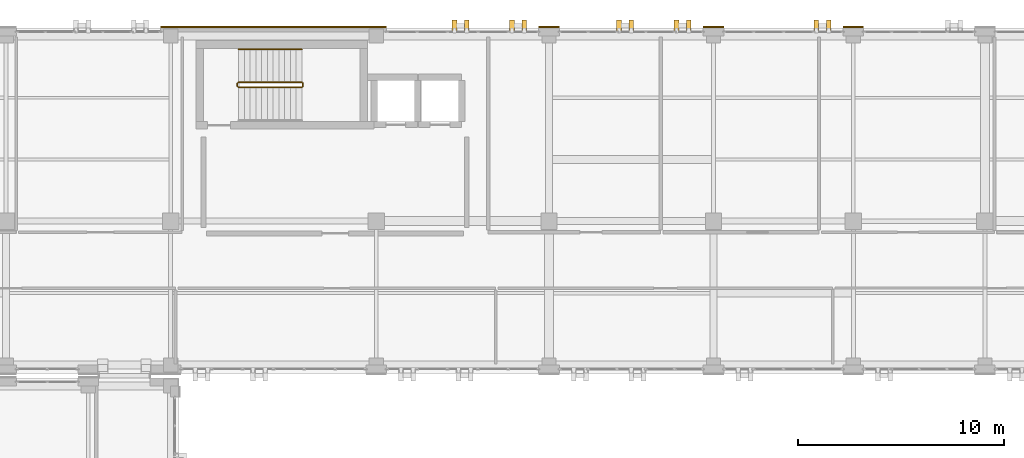
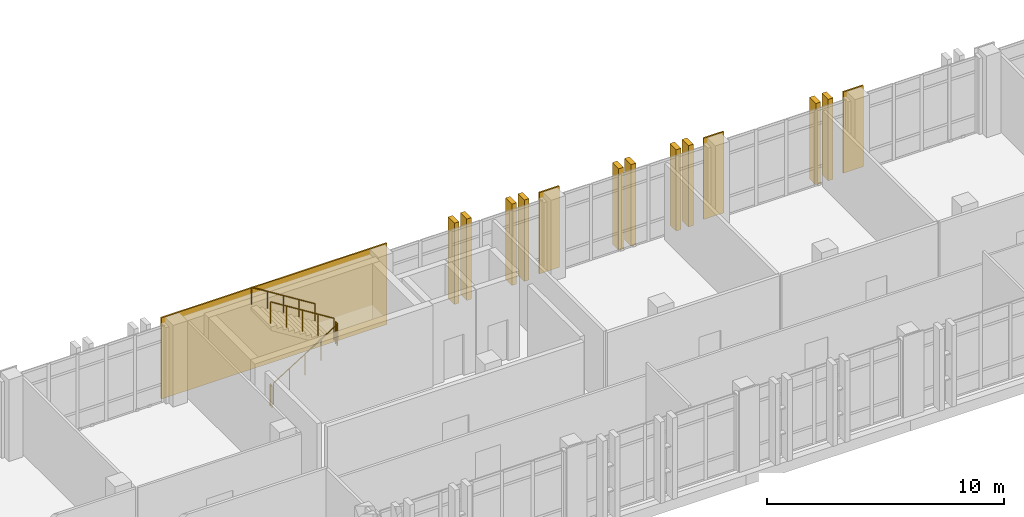
# One storey, part 151 of 158: 14 coverings, 5 railings.
"""IFC4 building model written with IfcOpenShell, lengths in metres."""

from ifc_helpers import new_model, si_unit, direction, frame, origin, origin_2d, place, context, subcontext, project, spatial, rectangle, circle, extrude, material, layer, layer_set, type_object, element, save


model = new_model("IFC4")

# Units and contexts
model_context = context("Model", 3, precision=1e-05, world=origin(), true_north=direction((0.0, 1.0)))
body_context = subcontext(model_context, "Body", "Model", "MODEL_VIEW")
ifc_project = project(units=[si_unit("LENGTHUNIT", "METRE"), si_unit("AREAUNIT", "SQUARE_METRE"), si_unit("VOLUMEUNIT", "CUBIC_METRE"), si_unit("PLANEANGLEUNIT", "RADIAN"), si_unit("MASSUNIT", "GRAM", prefix="KILO")], contexts=[model_context])

# Site, building, storey
site_placement = place(None, origin())
site = spatial("IfcSite", under=ifc_project, at=site_placement, CompositionType="ELEMENT")
building_placement = place(site_placement, origin())
building = spatial("IfcBuilding", under=site, at=building_placement, Name="Qalavern Law Courts", CompositionType="ELEMENT")
storey_placement = place(building_placement, frame((0.0, 0.0, 18.60009765625)))
storey = spatial("IfcBuildingStorey", under=building, at=storey_placement, Name="L04", CompositionType="ELEMENT", Elevation=18.60009765625)

# Coverings
ifc_material_1 = material(Name="Precast concrete C40/50", Category="concrete")
ifc_layer_1 = layer(ifc_material_1, 0.22998046875)
ifc_layer_set_1 = layer_set([ifc_layer_1], Name="Precast concrete C40/50")
covering_type_1 = type_object("IfcCoveringType", Name="ENV-BLD-2", PredefinedType="CLADDING", material=ifc_layer_set_1)
for number, where, z_axis, x_axis, name in (
    (1, (50.39990234375, 113.110107421875, 0.0048828125), (0.0, 0.0, 1.0), (0.0, 1.0, 0.0), "Absheron stone facade blade 1097"),
    (2, (49.800048828125, 113.110107421875, 0.0048828125), (0.0, 0.0, 1.0), (0.0, 1.0, 0.0), "Absheron stone facade blade 1098"),
    (3, (43.60009765625, 113.110107421875, 0.0048828125), (0.0, 0.0, 1.0), (0.0, 1.0, 0.0), "Absheron stone facade blade 1099"),
    (4, (43.0, 113.110107421875, 0.0048828125), (0.0, 0.0, 1.0), (0.0, 1.0, 0.0), "Absheron stone facade blade 1100"),
    (5, (40.800048828125, 113.110107421875, 0.0048828125), (0.0, 0.0, 1.0), (0.0, 1.0, 0.0), "Absheron stone facade blade 1101"),
    (6, (40.199951171875, 113.110107421875, 0.0048828125), (0.0, 0.0, 1.0), (0.0, 1.0, 0.0), "Absheron stone facade blade 1102"),
    (7, (35.60009765625, 113.110107421875, 0.0048828125), (0.0, 0.0, 1.0), (0.0, 1.0, 0.0), "Absheron stone facade blade 1103"),
    (8, (35.0, 113.110107421875, 0.0048828125), (0.0, 0.0, 1.0), (0.0, 1.0, 0.0), "Absheron stone facade blade 1104"),
    (9, (32.800048828125, 113.110107421875, 0.0048828125), (0.0, 0.0, 1.0), (0.0, 1.0, 0.0), "Absheron stone facade blade 1105"),
    (10, (32.199951171875, 113.110107421875, 0.0048828125), (0.0, 0.0, 1.0), (0.0, 1.0, 0.0), "Absheron stone facade blade 1106"),
):
    element("IfcCovering", number, at=place(storey_placement, frame(where, z_axis=z_axis, x_axis=x_axis)), inside=storey, type_object=covering_type_1, Name=name, PredefinedType="CLADDING", context=body_context, shape_type="SweptSolid", body=[
        extrude(rectangle(XDim=0.5400390625, YDim=0.22998046875, at=origin_2d()), origin(), (0.0, 0.0, 1.0), 4.18994140625),
    ])
ifc_layer_2 = layer(ifc_material_1, 0.072021484375)
ifc_layer_set_2 = layer_set([ifc_layer_2], Name="Precast concrete C40/50")
covering_type_2 = type_object("IfcCoveringType", Name="ENV-CLD-2", PredefinedType="CLADDING", material=ifc_layer_set_2)
for number, where, z_axis, x_axis, name in (
    (11, (51.60009765625, 113.032958984375, 0.009765625), (0.0, 0.0, 1.0), (-1.0, 0.0, 0.0), "V5 Absheron limestone pier facing L04 north 3"),
    (12, (44.800048828125, 113.032958984375, 0.009765625), (0.0, 0.0, 1.0), (-1.0, 0.0, 0.0), "V5 Absheron limestone pier facing L04 north 4"),
    (13, (36.800048828125, 113.032958984375, 0.009765625), (0.0, 0.0, 1.0), (-1.0, 0.0, 0.0), "V5 Absheron limestone pier facing L04 north 5"),
):
    element("IfcCovering", number, at=place(storey_placement, frame(where, z_axis=z_axis, x_axis=x_axis)), inside=storey, type_object=covering_type_2, Name=name, PredefinedType="CLADDING", context=body_context, shape_type="SweptSolid", body=[
        extrude(rectangle(XDim=0.97998046875, YDim=0.072021484375, at=origin_2d()), origin(), (0.0, 0.0, 1.0), 4.179931640625),
    ])
covering_placement = place(storey_placement, frame((23.39990234375, 113.032958984375, 0.009765625), z_axis=(0.0, 0.0, 1.0), x_axis=(-1.0, 0.0, 0.0)))
element("IfcCovering", 14, at=covering_placement, inside=storey, type_object=covering_type_2, Name="V5 Absheron limestone pier facing L04 north 6", PredefinedType="CLADDING", context=body_context, shape_type="SweptSolid", body=[
    extrude(rectangle(XDim=10.97998046875, YDim=0.072021484375, at=origin_2d()), origin(), (0.0, 0.0, 1.0), 4.179931640625),
])

# Railings
ifc_material_2 = material(Name="Steel S355", Category="steel")
railing_type_1 = type_object("IfcRailingType", Name="INT-GUARD-1120", PredefinedType="BALUSTRADE", material=ifc_material_2)
railing_1_placement = place(storey_placement, frame((21.699951171875, 110.10009765625, 0.1748046875)))
element("IfcRailing", 15, at=railing_1_placement, inside=storey, type_object=railing_type_1, Name="L04 ST-K3 stair guard 1", PredefinedType="BALUSTRADE", context=body_context, shape_type="SweptSolid", body=[
    extrude(circle(Radius=0.02392578125, at=origin_2d()), frame((0.0, 0.0, 1.09619140625), z_axis=(0.847998304005, 0.0, 0.529998940003), x_axis=(0.0, 1.0, 0.0)), (0.0, 0.0, 1.0), 3.632080078125),
    extrude(circle(Radius=0.02099609375, at=origin_2d()), origin(), (0.0, 0.0, 1.0), 1.072021484375),
    extrude(circle(Radius=0.02099609375, at=origin_2d()), frame((0.77001953125, 0.0, 0.481201171875)), (0.0, 0.0, 1.0), 1.072021484375),
    extrude(circle(Radius=0.02099609375, at=origin_2d()), frame((1.5400390625, 0.0, 0.96240234375)), (0.0, 0.0, 1.0), 1.072021484375),
    extrude(circle(Radius=0.02099609375, at=origin_2d()), frame((2.31005859375, 0.0, 1.44384765625)), (0.0, 0.0, 1.0), 1.072021484375),
    extrude(circle(Radius=0.02099609375, at=origin_2d()), frame((3.080078125, 0.0, 1.925048828125)), (0.0, 0.0, 1.0), 1.072021484375),
])
railing_2_placement = place(storey_placement, frame((24.830078125, 110.14990234375, 2.099853515625)))
element("IfcRailing", 16, at=railing_2_placement, inside=storey, type_object=railing_type_1, Name="L04 ST-K3 stair guard 2", PredefinedType="BALUSTRADE", context=body_context, shape_type="SweptSolid", body=[
    extrude(circle(Radius=0.02392578125, at=origin_2d()), frame((0.0, 0.0, 1.09619140625), z_axis=(0.0, 1.0, 0.0), x_axis=(-1.0, 0.0, 0.0)), (0.0, 0.0, 1.0), 0.150146484375),
    extrude(circle(Radius=0.02099609375, at=origin_2d()), origin(), (0.0, 0.0, 1.0), 1.072021484375),
    extrude(circle(Radius=0.02099609375, at=origin_2d()), frame((0.0, 0.150146484375, 0.0)), (0.0, 0.0, 1.0), 1.072021484375),
])
railing_3_placement = place(storey_placement, frame((24.780029296875, 110.35009765625, 2.27490234375)))
element("IfcRailing", 17, at=railing_3_placement, inside=storey, type_object=railing_type_1, Name="L04 ST-K3 stair guard 3", PredefinedType="BALUSTRADE", context=body_context, shape_type="SweptSolid", body=[
    extrude(circle(Radius=0.02392578125, at=origin_2d()), frame((0.0, 0.0, 1.09619140625), z_axis=(-0.847998304005, 0.0, 0.529998940003), x_axis=(0.0, -1.0, 0.0)), (0.0, 0.0, 1.0), 3.632080078125),
    extrude(circle(Radius=0.02099609375, at=origin_2d()), origin(), (0.0, 0.0, 1.0), 1.072021484375),
    extrude(circle(Radius=0.02099609375, at=origin_2d()), frame((-0.77001953125, 0.0, 0.481201171875)), (0.0, 0.0, 1.0), 1.072021484375),
    extrude(circle(Radius=0.02099609375, at=origin_2d()), frame((-1.5400390625, 0.0, 0.96240234375)), (0.0, 0.0, 1.0), 1.072021484375),
    extrude(circle(Radius=0.02099609375, at=origin_2d()), frame((-2.31005859375, 0.0, 1.44384765625)), (0.0, 0.0, 1.0), 1.072021484375),
    extrude(circle(Radius=0.02099609375, at=origin_2d()), frame((-3.080078125, 0.0, 1.925048828125)), (0.0, 0.0, 1.0), 1.072021484375),
])
railing_4_placement = place(storey_placement, frame((21.64990234375, 110.14990234375, 0.0)))
element("IfcRailing", 18, at=railing_4_placement, inside=storey, type_object=railing_type_1, Name="L04 ST-K3 stair guard 4", PredefinedType="BALUSTRADE", context=body_context, shape_type="SweptSolid", body=[
    extrude(circle(Radius=0.02392578125, at=origin_2d()), frame((0.0, 0.0, 1.09619140625), z_axis=(0.0, 1.0, 0.0), x_axis=(-1.0, 0.0, 0.0)), (0.0, 0.0, 1.0), 0.150146484375),
    extrude(circle(Radius=0.02099609375, at=origin_2d()), origin(), (0.0, 0.0, 1.0), 1.072021484375),
    extrude(circle(Radius=0.02099609375, at=origin_2d()), frame((0.0, 0.150146484375, 0.0)), (0.0, 0.0, 1.0), 1.072021484375),
])
railing_type_2 = type_object("IfcRailingType", Name="INT-HRAIL-920", PredefinedType="HANDRAIL", material=ifc_material_2)
railing_5_placement = place(storey_placement, frame((24.780029296875, 111.949951171875, 2.27490234375)))
element("IfcRailing", 19, at=railing_5_placement, inside=storey, type_object=railing_type_2, Name="L04 ST-K3 stair handrail 2", PredefinedType="HANDRAIL", context=body_context, shape_type="SweptSolid", body=[
    extrude(circle(Radius=0.02392578125, at=origin_2d()), frame((0.0, 0.0, 0.8759765625), z_axis=(-0.847998304005, 0.0, 0.529998940003), x_axis=(0.0, -1.0, 0.0)), (0.0, 0.0, 1.0), 3.632080078125),
    extrude(circle(Radius=0.02099609375, at=origin_2d()), origin(), (0.0, 0.0, 1.0), 0.851806640625),
    extrude(circle(Radius=0.02099609375, at=origin_2d()), frame((-0.77001953125, 0.0, 0.481201171875)), (0.0, 0.0, 1.0), 0.851806640625),
    extrude(circle(Radius=0.02099609375, at=origin_2d()), frame((-1.5400390625, 0.0, 0.96240234375)), (0.0, 0.0, 1.0), 0.851806640625),
    extrude(circle(Radius=0.02099609375, at=origin_2d()), frame((-2.31005859375, 0.0, 1.44384765625)), (0.0, 0.0, 1.0), 0.851806640625),
    extrude(circle(Radius=0.02099609375, at=origin_2d()), frame((-3.080078125, 0.0, 1.925048828125)), (0.0, 0.0, 1.0), 0.851806640625),
])

save(model, "model.ifc")
